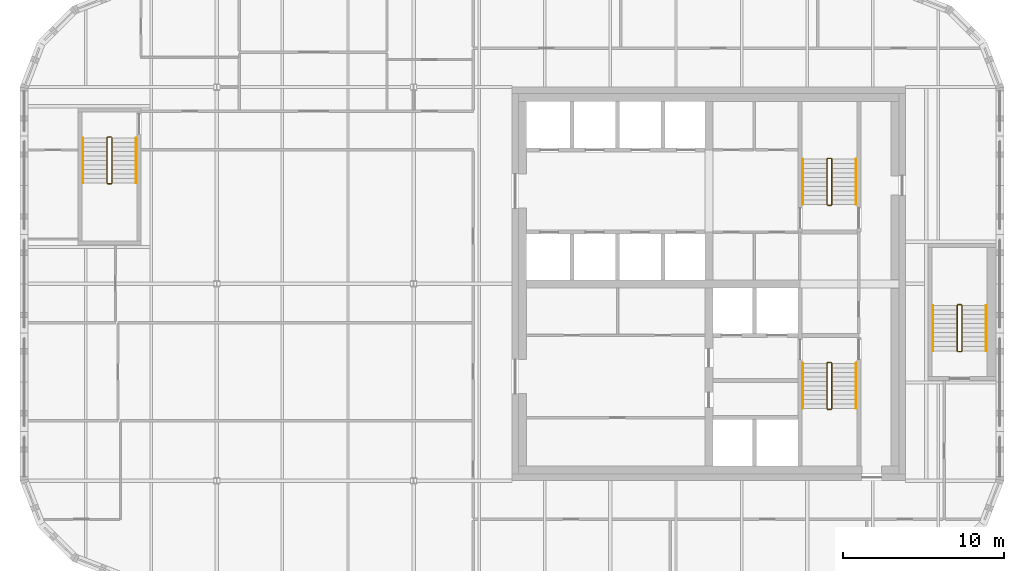
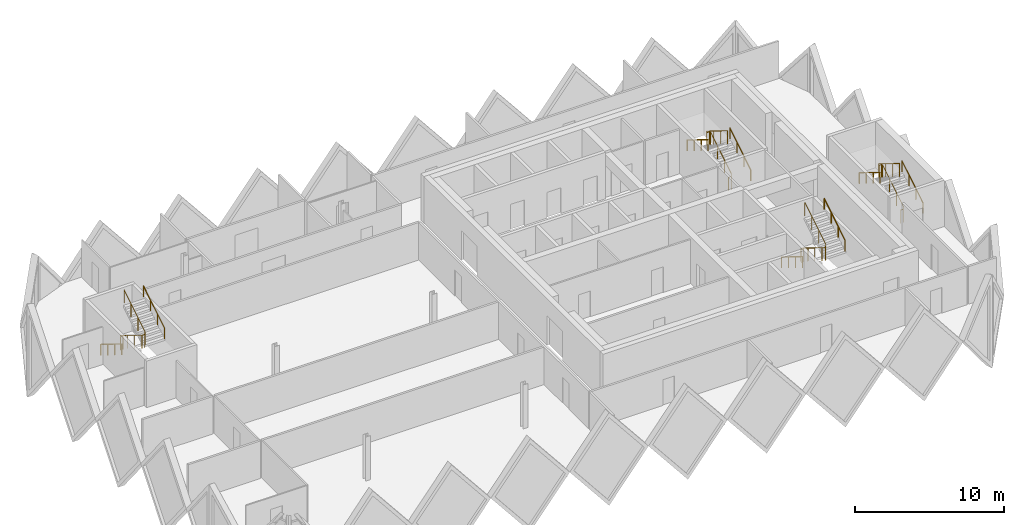
# One storey, part 10 of 10: 12 railings.
"""IFC4 building model written with IfcOpenShell, lengths in metres."""

from ifc_helpers import new_model, si_unit, direction, frame, origin, origin_2d, place, context, subcontext, project, spatial, circle, extrude, material, type_object, element, save


model = new_model("IFC4")

# Units and contexts
model_context = context("Model", 3, precision=1e-05, world=origin(), true_north=direction((0.0, 1.0)))
body_context = subcontext(model_context, "Body", "Model", "MODEL_VIEW")
ifc_project = project(units=[si_unit("LENGTHUNIT", "METRE"), si_unit("AREAUNIT", "SQUARE_METRE"), si_unit("VOLUMEUNIT", "CUBIC_METRE"), si_unit("PLANEANGLEUNIT", "RADIAN"), si_unit("MASSUNIT", "GRAM", prefix="KILO")], contexts=[model_context])

# Site, building, storey
site_placement = place(None, origin())
site = spatial("IfcSite", under=ifc_project, at=site_placement, CompositionType="ELEMENT")
building_placement = place(site_placement, origin())
building = spatial("IfcBuilding", under=site, at=building_placement, Name="Tessera Gate Towers", CompositionType="ELEMENT")
storey_placement = place(building_placement, frame((0.0, 0.0, 248.300048828125)))
storey = spatial("IfcBuildingStorey", under=building, at=storey_placement, Name="L62", CompositionType="ELEMENT", Elevation=248.300048828125)

# Railings
ifc_material_1 = material(Name="Steel 350W", Category="steel")
railing_type_1 = type_object("IfcRailingType", Name="STAIR GUARD 1100", PredefinedType="GUARDRAIL", material=ifc_material_1)
railing_1_placement = place(storey_placement, frame((50.27490234375, 31.72509765625, 0.0)))
element("IfcRailing", 1, at=railing_1_placement, inside=storey, type_object=railing_type_1, Name="L62 ST1 stair guard 1", PredefinedType="GUARDRAIL", context=body_context, shape_type="SweptSolid", body=[
    extrude(circle(Radius=0.02392578125, at=origin_2d()), frame((0.0, 0.0, 1.076171875), z_axis=(-1.0, 0.0, 0.0), x_axis=(0.0, -1.0, 0.0)), (0.0, 0.0, 1.0), 0.199951171875),
    extrude(circle(Radius=0.02392578125, at=origin_2d()), frame((-0.199951171875, 0.0, 1.076171875), z_axis=(-0.268277960024, -0.268277960024, 0.925231793839), x_axis=(0.707106781187, -0.707106781187, 0.0)), (0.0, 0.0, 1.0), 0.1865234375),
    extrude(circle(Radius=0.02392578125, at=origin_2d()), frame((-0.25, -0.050048828125, 1.24853515625), z_axis=(0.0, -0.851089632645, 0.525020415988), x_axis=(1.0, 0.0, 0.0)), (0.0, 0.0, 1.0), 3.2900390625),
    extrude(circle(Radius=0.02392578125, at=origin_2d()), frame((-0.25, -2.85009765625, 2.97607421875), z_axis=(0.707106781187, -0.707106781187, 0.0), x_axis=(0.707106781187, 0.707106781187, 0.0)), (0.0, 0.0, 1.0), 0.07080078125),
    extrude(circle(Radius=0.02392578125, at=origin_2d()), frame((-0.199951171875, -2.900146484375, 2.97607421875), z_axis=(1.0, 0.0, 0.0), x_axis=(0.0, 1.0, 0.0)), (0.0, 0.0, 1.0), 0.199951171875),
    extrude(circle(Radius=0.02392578125, at=origin_2d()), frame((0.0, -2.900146484375, 2.97607421875), z_axis=(0.267953482034, 0.267953482034, 0.925419830635), x_axis=(-0.707106781187, 0.707106781187, 0.0)), (0.0, 0.0, 1.0), 0.186767578125),
    extrude(circle(Radius=0.02392578125, at=origin_2d()), frame((0.050048828125, -2.85009765625, 3.14892578125), z_axis=(0.0, 0.851089632645, 0.525020415988), x_axis=(-1.0, 0.0, 0.0)), (0.0, 0.0, 1.0), 3.2900390625),
    extrude(circle(Radius=0.02099609375, at=origin_2d()), origin(), (0.0, 0.0, 1.0), 1.052001953125),
    extrude(circle(Radius=0.02099609375, at=origin_2d()), frame((-0.199951171875, 0.0, 0.0)), (0.0, 0.0, 1.0), 1.052001953125),
    extrude(circle(Radius=0.02099609375, at=origin_2d()), frame((-0.25, -0.050048828125, 0.172607421875)), (0.0, 0.0, 1.0), 1.052001953125),
    extrude(circle(Radius=0.02099609375, at=origin_2d()), frame((-0.25, -0.9833984375, 0.748291015625)), (0.0, 0.0, 1.0), 1.052001953125),
    extrude(circle(Radius=0.02099609375, at=origin_2d()), frame((-0.25, -1.916748046875, 1.32421875)), (0.0, 0.0, 1.0), 1.052001953125),
    extrude(circle(Radius=0.02099609375, at=origin_2d()), frame((-0.25, -2.85009765625, 1.89990234375)), (0.0, 0.0, 1.0), 1.052001953125),
    extrude(circle(Radius=0.02099609375, at=origin_2d()), frame((-0.199951171875, -2.900146484375, 1.89990234375)), (0.0, 0.0, 1.0), 1.052001953125),
    extrude(circle(Radius=0.02099609375, at=origin_2d()), frame((0.0, -2.900146484375, 1.89990234375)), (0.0, 0.0, 1.0), 1.052001953125),
    extrude(circle(Radius=0.02099609375, at=origin_2d()), frame((0.050048828125, -2.85009765625, 2.07275390625)), (0.0, 0.0, 1.0), 1.052001953125),
    extrude(circle(Radius=0.02099609375, at=origin_2d()), frame((0.050048828125, -1.916748046875, 2.6484375)), (0.0, 0.0, 1.0), 1.052001953125),
    extrude(circle(Radius=0.02099609375, at=origin_2d()), frame((0.050048828125, -0.9833984375, 3.224365234375)), (0.0, 0.0, 1.0), 1.052001953125),
    extrude(circle(Radius=0.02099609375, at=origin_2d()), frame((0.050048828125, -0.050048828125, 3.800048828125)), (0.0, 0.0, 1.0), 1.052001953125),
])
railing_2_placement = place(storey_placement, frame((50.074951171875, 41.47509765625, 0.0)))
element("IfcRailing", 2, at=railing_2_placement, inside=storey, type_object=railing_type_1, Name="L62 ST2 stair guard 1", PredefinedType="GUARDRAIL", context=body_context, shape_type="SweptSolid", body=[
    extrude(circle(Radius=0.02392578125, at=origin_2d()), frame((0.0, 0.0, 1.076171875), z_axis=(1.0, 0.0, 0.0), x_axis=(0.0, 1.0, 0.0)), (0.0, 0.0, 1.0), 0.199951171875),
    extrude(circle(Radius=0.02392578125, at=origin_2d()), frame((0.199951171875, 0.0, 1.076171875), z_axis=(0.268371968888, 0.267062837333, 0.925556009775), x_axis=(-0.705375805398, 0.708833529934, 0.0)), (0.0, 0.0, 1.0), 0.1865234375),
    extrude(circle(Radius=0.02392578125, at=origin_2d()), frame((0.25, 0.0498046875, 1.24853515625), z_axis=(0.0, 0.851089632645, 0.525020415988), x_axis=(-1.0, 0.0, 0.0)), (0.0, 0.0, 1.0), 3.2900390625),
    extrude(circle(Radius=0.02392578125, at=origin_2d()), frame((0.25, 2.849853515625, 2.97607421875), z_axis=(-0.707106781187, 0.707106781187, 0.0), x_axis=(-0.707106781187, -0.707106781187, 0.0)), (0.0, 0.0, 1.0), 0.07080078125),
    extrude(circle(Radius=0.02392578125, at=origin_2d()), frame((0.199951171875, 2.89990234375, 2.97607421875), z_axis=(-1.0, 0.0, 0.0), x_axis=(0.0, -1.0, 0.0)), (0.0, 0.0, 1.0), 0.199951171875),
    extrude(circle(Radius=0.02392578125, at=origin_2d()), frame((0.0, 2.89990234375, 2.97607421875), z_axis=(-0.267953482034, -0.267953482034, 0.925419830635), x_axis=(0.707106781187, -0.707106781187, 0.0)), (0.0, 0.0, 1.0), 0.186767578125),
    extrude(circle(Radius=0.02392578125, at=origin_2d()), frame((-0.050048828125, 2.849853515625, 3.14892578125), z_axis=(0.0, -0.851089632645, 0.525020415988), x_axis=(1.0, 0.0, 0.0)), (0.0, 0.0, 1.0), 3.2900390625),
    extrude(circle(Radius=0.02099609375, at=origin_2d()), origin(), (0.0, 0.0, 1.0), 1.052001953125),
    extrude(circle(Radius=0.02099609375, at=origin_2d()), frame((0.199951171875, 0.0, 0.0)), (0.0, 0.0, 1.0), 1.052001953125),
    extrude(circle(Radius=0.02099609375, at=origin_2d()), frame((0.25, 0.0498046875, 0.172607421875)), (0.0, 0.0, 1.0), 1.052001953125),
    extrude(circle(Radius=0.02099609375, at=origin_2d()), frame((0.25, 0.983154296875, 0.748291015625)), (0.0, 0.0, 1.0), 1.052001953125),
    extrude(circle(Radius=0.02099609375, at=origin_2d()), frame((0.25, 1.91650390625, 1.32421875)), (0.0, 0.0, 1.0), 1.052001953125),
    extrude(circle(Radius=0.02099609375, at=origin_2d()), frame((0.25, 2.849853515625, 1.89990234375)), (0.0, 0.0, 1.0), 1.052001953125),
    extrude(circle(Radius=0.02099609375, at=origin_2d()), frame((0.199951171875, 2.89990234375, 1.89990234375)), (0.0, 0.0, 1.0), 1.052001953125),
    extrude(circle(Radius=0.02099609375, at=origin_2d()), frame((0.0, 2.89990234375, 1.89990234375)), (0.0, 0.0, 1.0), 1.052001953125),
    extrude(circle(Radius=0.02099609375, at=origin_2d()), frame((-0.050048828125, 2.849853515625, 2.07275390625)), (0.0, 0.0, 1.0), 1.052001953125),
    extrude(circle(Radius=0.02099609375, at=origin_2d()), frame((-0.050048828125, 1.91650390625, 2.6484375)), (0.0, 0.0, 1.0), 1.052001953125),
    extrude(circle(Radius=0.02099609375, at=origin_2d()), frame((-0.050048828125, 0.983154296875, 3.224365234375)), (0.0, 0.0, 1.0), 1.052001953125),
    extrude(circle(Radius=0.02099609375, at=origin_2d()), frame((-0.050048828125, 0.0498046875, 3.800048828125)), (0.0, 0.0, 1.0), 1.052001953125),
])
railing_3_placement = place(storey_placement, frame((5.64990234375, 45.699951171875, 0.0)))
element("IfcRailing", 3, at=railing_3_placement, inside=storey, type_object=railing_type_1, Name="L62 ST3 stair guard 1", PredefinedType="GUARDRAIL", context=body_context, shape_type="SweptSolid", body=[
    extrude(circle(Radius=0.02392578125, at=origin_2d()), frame((0.0, 0.0, 1.076171875), z_axis=(-1.0, 0.0, 0.0), x_axis=(0.0, -1.0, 0.0)), (0.0, 0.0, 1.0), 0.199951171875),
    extrude(circle(Radius=0.02392578125, at=origin_2d()), frame((-0.199951171875, 0.0, 1.076171875), z_axis=(-0.268277960024, -0.268277960024, 0.925231793839), x_axis=(0.707106781187, -0.707106781187, 0.0)), (0.0, 0.0, 1.0), 0.1865234375),
    extrude(circle(Radius=0.02392578125, at=origin_2d()), frame((-0.25, -0.050048828125, 1.24853515625), z_axis=(0.0, -0.851069175582, 0.525053576669), x_axis=(1.0, 0.0, 0.0)), (0.0, 0.0, 1.0), 3.289794921875),
    extrude(circle(Radius=0.02392578125, at=origin_2d()), frame((-0.25, -2.849853515625, 2.97607421875), z_axis=(0.707106781187, -0.707106781187, 0.0), x_axis=(0.707106781187, 0.707106781187, 0.0)), (0.0, 0.0, 1.0), 0.07080078125),
    extrude(circle(Radius=0.02392578125, at=origin_2d()), frame((-0.199951171875, -2.89990234375, 2.97607421875), z_axis=(1.0, 0.0, 0.0), x_axis=(0.0, 1.0, 0.0)), (0.0, 0.0, 1.0), 0.199951171875),
    extrude(circle(Radius=0.02392578125, at=origin_2d()), frame((0.0, -2.89990234375, 2.97607421875), z_axis=(0.267953482034, 0.267953482034, 0.925419830635), x_axis=(-0.707106781187, 0.707106781187, 0.0)), (0.0, 0.0, 1.0), 0.186767578125),
    extrude(circle(Radius=0.02392578125, at=origin_2d()), frame((0.050048828125, -2.849853515625, 3.14892578125), z_axis=(0.0, 0.851069175582, 0.525053576669), x_axis=(-1.0, 0.0, 0.0)), (0.0, 0.0, 1.0), 3.289794921875),
    extrude(circle(Radius=0.02099609375, at=origin_2d()), origin(), (0.0, 0.0, 1.0), 1.052001953125),
    extrude(circle(Radius=0.02099609375, at=origin_2d()), frame((-0.199951171875, 0.0, 0.0)), (0.0, 0.0, 1.0), 1.052001953125),
    extrude(circle(Radius=0.02099609375, at=origin_2d()), frame((-0.25, -0.050048828125, 0.172607421875)), (0.0, 0.0, 1.0), 1.052001953125),
    extrude(circle(Radius=0.02099609375, at=origin_2d()), frame((-0.25, -0.9833984375, 0.748291015625)), (0.0, 0.0, 1.0), 1.052001953125),
    extrude(circle(Radius=0.02099609375, at=origin_2d()), frame((-0.25, -1.91650390625, 1.32421875)), (0.0, 0.0, 1.0), 1.052001953125),
    extrude(circle(Radius=0.02099609375, at=origin_2d()), frame((-0.25, -2.849853515625, 1.89990234375)), (0.0, 0.0, 1.0), 1.052001953125),
    extrude(circle(Radius=0.02099609375, at=origin_2d()), frame((-0.199951171875, -2.89990234375, 1.89990234375)), (0.0, 0.0, 1.0), 1.052001953125),
    extrude(circle(Radius=0.02099609375, at=origin_2d()), frame((0.0, -2.89990234375, 1.89990234375)), (0.0, 0.0, 1.0), 1.052001953125),
    extrude(circle(Radius=0.02099609375, at=origin_2d()), frame((0.050048828125, -2.849853515625, 2.07275390625)), (0.0, 0.0, 1.0), 1.052001953125),
    extrude(circle(Radius=0.02099609375, at=origin_2d()), frame((0.050048828125, -1.91650390625, 2.6484375)), (0.0, 0.0, 1.0), 1.052001953125),
    extrude(circle(Radius=0.02099609375, at=origin_2d()), frame((0.050048828125, -0.9833984375, 3.224365234375)), (0.0, 0.0, 1.0), 1.052001953125),
    extrude(circle(Radius=0.02099609375, at=origin_2d()), frame((0.050048828125, -0.050048828125, 3.800048828125)), (0.0, 0.0, 1.0), 1.052001953125),
])
railing_4_placement = place(storey_placement, frame((58.14990234375, 32.39990234375, 0.0)))
element("IfcRailing", 4, at=railing_4_placement, inside=storey, type_object=railing_type_1, Name="L62 ST5 stair guard 1", PredefinedType="GUARDRAIL", context=body_context, shape_type="SweptSolid", body=[
    extrude(circle(Radius=0.02392578125, at=origin_2d()), frame((0.0, 0.0, 1.076171875), z_axis=(1.0, 0.0, 0.0), x_axis=(0.0, 1.0, 0.0)), (0.0, 0.0, 1.0), 0.2001953125),
    extrude(circle(Radius=0.02392578125, at=origin_2d()), frame((0.2001953125, 0.0, 1.076171875), z_axis=(0.267062837333, 0.268371968888, 0.925556009775), x_axis=(-0.708833529934, 0.705375805398, 0.0)), (0.0, 0.0, 1.0), 0.1865234375),
    extrude(circle(Radius=0.02392578125, at=origin_2d()), frame((0.25, 0.050048828125, 1.24853515625), z_axis=(0.0, 0.851089632645, 0.525020415988), x_axis=(-1.0, 0.0, 0.0)), (0.0, 0.0, 1.0), 3.2900390625),
    extrude(circle(Radius=0.02392578125, at=origin_2d()), frame((0.25, 2.85009765625, 2.97607421875), z_axis=(-0.705375805398, 0.708833529934, 0.0), x_axis=(-0.708833529934, -0.705375805398, 0.0)), (0.0, 0.0, 1.0), 0.070556640625),
    extrude(circle(Radius=0.02392578125, at=origin_2d()), frame((0.2001953125, 2.900146484375, 2.97607421875), z_axis=(-1.0, 0.0, 0.0), x_axis=(0.0, -1.0, 0.0)), (0.0, 0.0, 1.0), 0.2001953125),
    extrude(circle(Radius=0.02392578125, at=origin_2d()), frame((0.0, 2.900146484375, 2.97607421875), z_axis=(-0.266739603011, -0.268047150085, 0.925743328097), x_axis=(0.708833529934, -0.705375805398, 0.0)), (0.0, 0.0, 1.0), 0.186767578125),
    extrude(circle(Radius=0.02392578125, at=origin_2d()), frame((-0.0498046875, 2.85009765625, 3.14892578125), z_axis=(0.0, -0.851089632645, 0.525020415988), x_axis=(1.0, 0.0, 0.0)), (0.0, 0.0, 1.0), 3.2900390625),
    extrude(circle(Radius=0.02099609375, at=origin_2d()), origin(), (0.0, 0.0, 1.0), 1.052001953125),
    extrude(circle(Radius=0.02099609375, at=origin_2d()), frame((0.2001953125, 0.0, 0.0)), (0.0, 0.0, 1.0), 1.052001953125),
    extrude(circle(Radius=0.02099609375, at=origin_2d()), frame((0.25, 0.050048828125, 0.172607421875)), (0.0, 0.0, 1.0), 1.052001953125),
    extrude(circle(Radius=0.02099609375, at=origin_2d()), frame((0.25, 0.9833984375, 0.748291015625)), (0.0, 0.0, 1.0), 1.052001953125),
    extrude(circle(Radius=0.02099609375, at=origin_2d()), frame((0.25, 1.916748046875, 1.32421875)), (0.0, 0.0, 1.0), 1.052001953125),
    extrude(circle(Radius=0.02099609375, at=origin_2d()), frame((0.25, 2.85009765625, 1.89990234375)), (0.0, 0.0, 1.0), 1.052001953125),
    extrude(circle(Radius=0.02099609375, at=origin_2d()), frame((0.2001953125, 2.900146484375, 1.89990234375)), (0.0, 0.0, 1.0), 1.052001953125),
    extrude(circle(Radius=0.02099609375, at=origin_2d()), frame((0.0, 2.900146484375, 1.89990234375)), (0.0, 0.0, 1.0), 1.052001953125),
    extrude(circle(Radius=0.02099609375, at=origin_2d()), frame((-0.0498046875, 2.85009765625, 2.07275390625)), (0.0, 0.0, 1.0), 1.052001953125),
    extrude(circle(Radius=0.02099609375, at=origin_2d()), frame((-0.0498046875, 1.916748046875, 2.6484375)), (0.0, 0.0, 1.0), 1.052001953125),
    extrude(circle(Radius=0.02099609375, at=origin_2d()), frame((-0.0498046875, 0.9833984375, 3.224365234375)), (0.0, 0.0, 1.0), 1.052001953125),
    extrude(circle(Radius=0.02099609375, at=origin_2d()), frame((-0.0498046875, 0.050048828125, 3.800048828125)), (0.0, 0.0, 1.0), 1.052001953125),
])
ifc_material_2 = material(Name="Steel 350W", Category="steel")
railing_type_2 = type_object("IfcRailingType", Name="STAIR HANDRAIL 900", PredefinedType="HANDRAIL", material=ifc_material_2)
railing_5_placement = place(storey_placement, frame((48.52490234375, 31.675048828125, 0.172607421875)))
element("IfcRailing", 5, at=railing_5_placement, inside=storey, type_object=railing_type_2, Name="L62 ST1 stair handrail 1", PredefinedType="HANDRAIL", context=body_context, shape_type="SweptSolid", body=[
    extrude(circle(Radius=0.02392578125, at=origin_2d()), frame((0.0, 0.0, 0.8759765625), z_axis=(0.0, -0.851089632645, 0.525020415988), x_axis=(1.0, 0.0, 0.0)), (0.0, 0.0, 1.0), 3.2900390625),
    extrude(circle(Radius=0.02099609375, at=origin_2d()), origin(), (0.0, 0.0, 1.0), 0.851806640625),
    extrude(circle(Radius=0.02099609375, at=origin_2d()), frame((0.0, -0.933349609375, 0.57568359375)), (0.0, 0.0, 1.0), 0.851806640625),
    extrude(circle(Radius=0.02099609375, at=origin_2d()), frame((0.0, -1.86669921875, 1.151611328125)), (0.0, 0.0, 1.0), 0.851806640625),
    extrude(circle(Radius=0.02099609375, at=origin_2d()), frame((0.0, -2.800048828125, 1.727294921875)), (0.0, 0.0, 1.0), 0.851806640625),
])
for number, where, name in (
    (6, (51.824951171875, 28.875, 2.07275390625), "L62 ST1 stair handrail 2"),
    (7, (51.824951171875, 41.52490234375, 0.172607421875), "L62 ST2 stair handrail 1"),
):
    element("IfcRailing", number, at=place(storey_placement, frame(where)), inside=storey, type_object=railing_type_2, Name=name, PredefinedType="HANDRAIL", context=body_context, shape_type="SweptSolid", body=[
        extrude(circle(Radius=0.02392578125, at=origin_2d()), frame((0.0, 0.0, 0.8759765625), z_axis=(0.0, 0.851089632645, 0.525020415988), x_axis=(-1.0, 0.0, 0.0)), (0.0, 0.0, 1.0), 3.2900390625),
        extrude(circle(Radius=0.02099609375, at=origin_2d()), origin(), (0.0, 0.0, 1.0), 0.851806640625),
        extrude(circle(Radius=0.02099609375, at=origin_2d()), frame((0.0, 0.933349609375, 0.57568359375)), (0.0, 0.0, 1.0), 0.851806640625),
        extrude(circle(Radius=0.02099609375, at=origin_2d()), frame((0.0, 1.86669921875, 1.151611328125)), (0.0, 0.0, 1.0), 0.851806640625),
        extrude(circle(Radius=0.02099609375, at=origin_2d()), frame((0.0, 2.800048828125, 1.727294921875)), (0.0, 0.0, 1.0), 0.851806640625),
    ])
railing_6_placement = place(storey_placement, frame((48.52490234375, 44.324951171875, 2.07275390625)))
element("IfcRailing", 8, at=railing_6_placement, inside=storey, type_object=railing_type_2, Name="L62 ST2 stair handrail 2", PredefinedType="HANDRAIL", context=body_context, shape_type="SweptSolid", body=[
    extrude(circle(Radius=0.02392578125, at=origin_2d()), frame((0.0, 0.0, 0.8759765625), z_axis=(0.0, -0.851089632645, 0.525020415988), x_axis=(1.0, 0.0, 0.0)), (0.0, 0.0, 1.0), 3.2900390625),
    extrude(circle(Radius=0.02099609375, at=origin_2d()), origin(), (0.0, 0.0, 1.0), 0.851806640625),
    extrude(circle(Radius=0.02099609375, at=origin_2d()), frame((0.0, -0.933349609375, 0.57568359375)), (0.0, 0.0, 1.0), 0.851806640625),
    extrude(circle(Radius=0.02099609375, at=origin_2d()), frame((0.0, -1.86669921875, 1.151611328125)), (0.0, 0.0, 1.0), 0.851806640625),
    extrude(circle(Radius=0.02099609375, at=origin_2d()), frame((0.0, -2.800048828125, 1.727294921875)), (0.0, 0.0, 1.0), 0.851806640625),
])
railing_7_placement = place(storey_placement, frame((3.89990234375, 45.64990234375, 0.172607421875)))
element("IfcRailing", 9, at=railing_7_placement, inside=storey, type_object=railing_type_2, Name="L62 ST3 stair handrail 1", PredefinedType="HANDRAIL", context=body_context, shape_type="SweptSolid", body=[
    extrude(circle(Radius=0.02392578125, at=origin_2d()), frame((0.0, 0.0, 0.8759765625), z_axis=(0.0, -0.851069175582, 0.525053576669), x_axis=(1.0, 0.0, 0.0)), (0.0, 0.0, 1.0), 3.289794921875),
    extrude(circle(Radius=0.02099609375, at=origin_2d()), origin(), (0.0, 0.0, 1.0), 0.851806640625),
    extrude(circle(Radius=0.02099609375, at=origin_2d()), frame((0.0, -0.933349609375, 0.57568359375)), (0.0, 0.0, 1.0), 0.851806640625),
    extrude(circle(Radius=0.02099609375, at=origin_2d()), frame((0.0, -1.866455078125, 1.151611328125)), (0.0, 0.0, 1.0), 0.851806640625),
    extrude(circle(Radius=0.02099609375, at=origin_2d()), frame((0.0, -2.7998046875, 1.727294921875)), (0.0, 0.0, 1.0), 0.851806640625),
])
railing_8_placement = place(storey_placement, frame((7.199951171875, 42.85009765625, 2.07275390625)))
element("IfcRailing", 10, at=railing_8_placement, inside=storey, type_object=railing_type_2, Name="L62 ST3 stair handrail 2", PredefinedType="HANDRAIL", context=body_context, shape_type="SweptSolid", body=[
    extrude(circle(Radius=0.02392578125, at=origin_2d()), frame((0.0, 0.0, 0.8759765625), z_axis=(0.0, 0.851069175582, 0.525053576669), x_axis=(-1.0, 0.0, 0.0)), (0.0, 0.0, 1.0), 3.289794921875),
    extrude(circle(Radius=0.02099609375, at=origin_2d()), origin(), (0.0, 0.0, 1.0), 0.851806640625),
    extrude(circle(Radius=0.02099609375, at=origin_2d()), frame((0.0, 0.933349609375, 0.57568359375)), (0.0, 0.0, 1.0), 0.851806640625),
    extrude(circle(Radius=0.02099609375, at=origin_2d()), frame((0.0, 1.866455078125, 1.151611328125)), (0.0, 0.0, 1.0), 0.851806640625),
    extrude(circle(Radius=0.02099609375, at=origin_2d()), frame((0.0, 2.7998046875, 1.727294921875)), (0.0, 0.0, 1.0), 0.851806640625),
])
railing_9_placement = place(storey_placement, frame((59.89990234375, 32.449951171875, 0.172607421875)))
element("IfcRailing", 11, at=railing_9_placement, inside=storey, type_object=railing_type_2, Name="L62 ST5 stair handrail 1", PredefinedType="HANDRAIL", context=body_context, shape_type="SweptSolid", body=[
    extrude(circle(Radius=0.02392578125, at=origin_2d()), frame((0.0, 0.0, 0.8759765625), z_axis=(0.0, 0.851089632645, 0.525020415988), x_axis=(-1.0, 0.0, 0.0)), (0.0, 0.0, 1.0), 3.2900390625),
    extrude(circle(Radius=0.02099609375, at=origin_2d()), origin(), (0.0, 0.0, 1.0), 0.851806640625),
    extrude(circle(Radius=0.02099609375, at=origin_2d()), frame((0.0, 0.933349609375, 0.57568359375)), (0.0, 0.0, 1.0), 0.851806640625),
    extrude(circle(Radius=0.02099609375, at=origin_2d()), frame((0.0, 1.86669921875, 1.151611328125)), (0.0, 0.0, 1.0), 0.851806640625),
    extrude(circle(Radius=0.02099609375, at=origin_2d()), frame((0.0, 2.800048828125, 1.727294921875)), (0.0, 0.0, 1.0), 0.851806640625),
])
railing_10_placement = place(storey_placement, frame((56.60009765625, 35.25, 2.07275390625)))
element("IfcRailing", 12, at=railing_10_placement, inside=storey, type_object=railing_type_2, Name="L62 ST5 stair handrail 2", PredefinedType="HANDRAIL", context=body_context, shape_type="SweptSolid", body=[
    extrude(circle(Radius=0.02392578125, at=origin_2d()), frame((0.0, 0.0, 0.8759765625), z_axis=(0.0, -0.851089632645, 0.525020415988), x_axis=(1.0, 0.0, 0.0)), (0.0, 0.0, 1.0), 3.2900390625),
    extrude(circle(Radius=0.02099609375, at=origin_2d()), origin(), (0.0, 0.0, 1.0), 0.851806640625),
    extrude(circle(Radius=0.02099609375, at=origin_2d()), frame((0.0, -0.933349609375, 0.57568359375)), (0.0, 0.0, 1.0), 0.851806640625),
    extrude(circle(Radius=0.02099609375, at=origin_2d()), frame((0.0, -1.86669921875, 1.151611328125)), (0.0, 0.0, 1.0), 0.851806640625),
    extrude(circle(Radius=0.02099609375, at=origin_2d()), frame((0.0, -2.800048828125, 1.727294921875)), (0.0, 0.0, 1.0), 0.851806640625),
])

save(model, "model.ifc")
